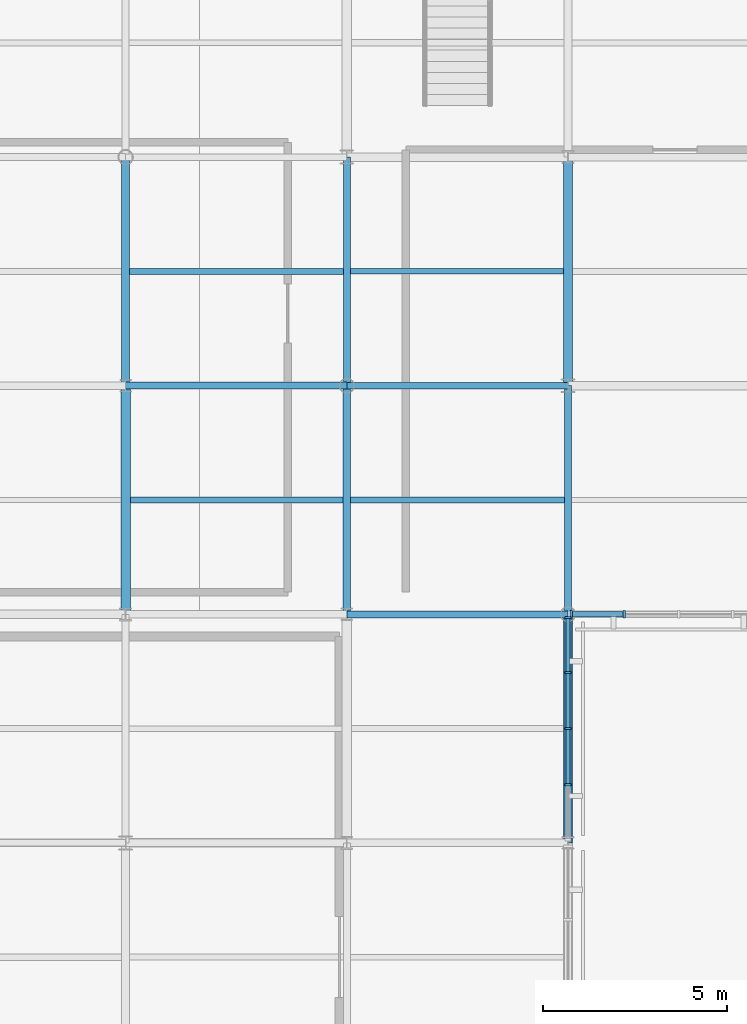
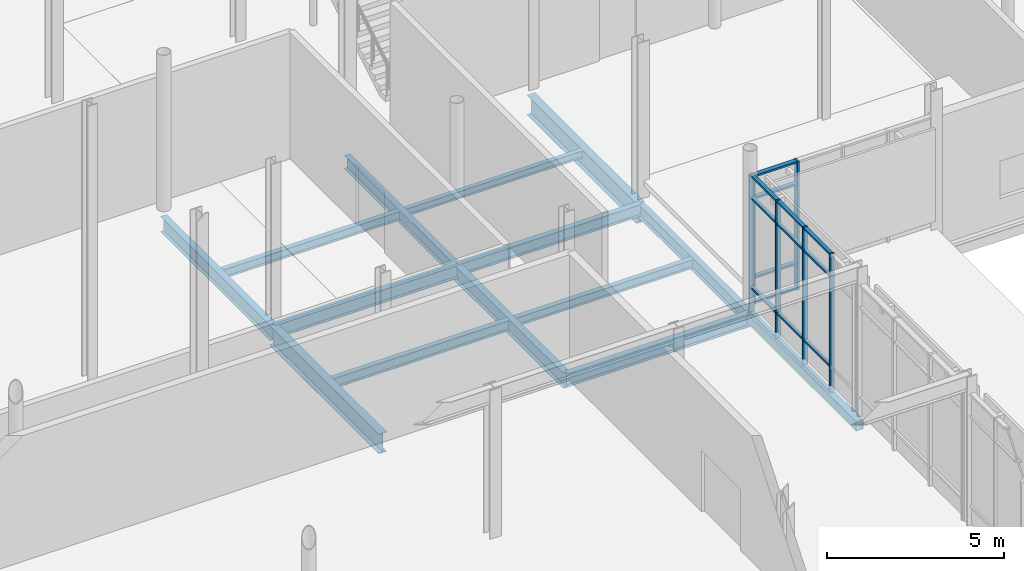
# One storey, part 24 of 105: 22 members, 14 beams, 2 elements without a shape of their own.
"""IFC4 building model written with IfcOpenShell, lengths in metres."""

from ifc_helpers import new_model, si_unit, direction, frame, origin, origin_2d, place, context, subcontext, project, spatial, rectangle, hollow_rectangle, i_section, extrude, material, layer, layer_set, material_profile, profile_set, type_object, element, aggregate, save


model = new_model("IFC4")

# Units and contexts
model_context = context("Model", 3, precision=1e-05, world=origin(), true_north=direction((0.0, 1.0)))
body_context = subcontext(model_context, "Body", "Model", "MODEL_VIEW")
ifc_project = project(units=[si_unit("LENGTHUNIT", "METRE"), si_unit("AREAUNIT", "SQUARE_METRE"), si_unit("VOLUMEUNIT", "CUBIC_METRE"), si_unit("PLANEANGLEUNIT", "RADIAN"), si_unit("MASSUNIT", "GRAM", prefix="KILO")], contexts=[model_context])

# Site, building, storey
site_placement = place(None, origin())
site = spatial("IfcSite", under=ifc_project, at=site_placement, CompositionType="ELEMENT")
building_placement = place(site_placement, origin())
building = spatial("IfcBuilding", under=site, at=building_placement, Name="Mirzam Square Science Centre", CompositionType="ELEMENT")
storey_placement = place(building_placement, frame((0.0, 0.0, 5.39990234375)))
storey = spatial("IfcBuildingStorey", under=building, at=storey_placement, Name="L01", CompositionType="ELEMENT", Elevation=5.39990234375)

# Beams
ifc_material_1 = material(Name="Steel S355", Category="steel")
ifc_material_profile_1 = material_profile(ifc_material_1, i_section(OverallWidth=0.1787109375, OverallDepth=0.409423828125, WebThickness=0.0087890625, FlangeThickness=0.014404296875, FilletRadius=0.01025390625, at=origin_2d()), Name="406x178x67UB")
ifc_profile_set_1 = profile_set([ifc_material_profile_1], Name="Steel S355")
beam_type_1 = type_object("IfcBeamType", Name="BM-UB406", PredefinedType="BEAM", material=ifc_profile_set_1)
beam_1_placement = place(storey_placement, frame((24.0, 43.39990234375, -0.464599609375), z_axis=(1.0, 0.0, 0.0), x_axis=(0.0, 1.0, 0.0)))
element("IfcBeam", 1, at=beam_1_placement, inside=storey, type_object=beam_type_1, Name="L01 girder X5-8", PredefinedType="BEAM", context=body_context, shape_type="SweptSolid", body=[
    extrude(i_section(OverallWidth=0.1787109375, OverallDepth=0.409423828125, WebThickness=0.0087890625, FlangeThickness=0.014404296875, FilletRadius=0.01025390625, at=origin_2d()), origin(), (0.0, 0.0, 1.0), 6.0),
])
ifc_material_profile_2 = material_profile(ifc_material_1, i_section(OverallWidth=0.19140625, OverallDepth=0.4599609375, WebThickness=0.010009765625, FlangeThickness=0.01611328125, FilletRadius=0.01025390625, at=origin_2d()), Name="457x191x82UB")
ifc_profile_set_2 = profile_set([ifc_material_profile_2], Name="Steel S355")
beam_type_2 = type_object("IfcBeamType", Name="BM-UB457", PredefinedType="BEAM", material=ifc_profile_set_2)
for number, where, z_axis, x_axis, name in (
    (2, (24.0, 37.199951171875, -0.489990234375), (1.0, 0.0, 0.0), (0.0, 1.0, 0.0), "L01 girder X5-7"),
    (3, (18.0, 43.39990234375, -0.489990234375), (1.0, 0.0, 0.0), (0.0, 1.0, 0.0), "L01 girder X4-8"),
):
    element("IfcBeam", number, at=place(storey_placement, frame(where, z_axis=z_axis, x_axis=x_axis)), inside=storey, type_object=beam_type_2, Name=name, PredefinedType="BEAM", context=body_context, shape_type="SweptSolid", body=[
        extrude(i_section(OverallWidth=0.19140625, OverallDepth=0.4599609375, WebThickness=0.010009765625, FlangeThickness=0.01611328125, FilletRadius=0.01025390625, at=origin_2d()), origin(), (0.0, 0.0, 1.0), 6.0),
    ])
beam_2_placement = place(storey_placement, frame((24.0, 43.39990234375, -0.489990234375), z_axis=(0.0, 1.0, 0.0), x_axis=(-1.0, 0.0, 0.0)))
element("IfcBeam", 4, at=beam_2_placement, inside=storey, type_object=beam_type_2, Name="L01 girder Y5-8", PredefinedType="BEAM", context=body_context, shape_type="SweptSolid", body=[
    extrude(i_section(OverallWidth=0.19140625, OverallDepth=0.4599609375, WebThickness=0.010009765625, FlangeThickness=0.01611328125, FilletRadius=0.01025390625, at=origin_2d()), origin(), (0.0, 0.0, 1.0), 6.2001953125),
])
beam_3_placement = place(storey_placement, frame((30.0, 37.199951171875, -0.489990234375), z_axis=(0.0, 1.0, 0.0), x_axis=(-1.0, 0.0, 0.0)))
element("IfcBeam", 5, at=beam_3_placement, inside=storey, type_object=beam_type_2, Name="L01 girder Y6-7", PredefinedType="BEAM", context=body_context, shape_type="SweptSolid", body=[
    extrude(i_section(OverallWidth=0.19140625, OverallDepth=0.4599609375, WebThickness=0.010009765625, FlangeThickness=0.01611328125, FilletRadius=0.01025390625, at=origin_2d()), origin(), (0.0, 0.0, 1.0), 6.199951171875),
])
ifc_material_profile_3 = material_profile(ifc_material_1, i_section(OverallWidth=0.2099609375, OverallDepth=0.53662109375, WebThickness=0.0107421875, FlangeThickness=0.017333984375, FilletRadius=0.0126953125, at=origin_2d()), Name="533x210x101UB")
ifc_profile_set_3 = profile_set([ifc_material_profile_3], Name="Steel S355")
beam_type_3 = type_object("IfcBeamType", Name="BM-UB533", PredefinedType="BEAM", material=ifc_profile_set_3)
beam_4_placement = place(storey_placement, frame((18.0, 43.39990234375, -0.5283203125), z_axis=(0.0, 1.0, 0.0), x_axis=(-1.0, 0.0, 0.0)))
element("IfcBeam", 6, at=beam_4_placement, inside=storey, type_object=beam_type_3, Name="L01 girder Y4-8", PredefinedType="BEAM", context=body_context, shape_type="SweptSolid", body=[
    extrude(i_section(OverallWidth=0.2099609375, OverallDepth=0.53662109375, WebThickness=0.0107421875, FlangeThickness=0.017333984375, FilletRadius=0.0126953125, at=origin_2d()), origin(), (0.0, 0.0, 1.0), 6.2001953125),
])
beam_5_placement = place(storey_placement, frame((24.0, 37.199951171875, -0.5283203125), z_axis=(0.0, 1.0, 0.0), x_axis=(-1.0, 0.0, 0.0)))
element("IfcBeam", 7, at=beam_5_placement, inside=storey, type_object=beam_type_3, Name="L01 girder Y5-7", PredefinedType="BEAM", context=body_context, shape_type="SweptSolid", body=[
    extrude(i_section(OverallWidth=0.2099609375, OverallDepth=0.53662109375, WebThickness=0.0107421875, FlangeThickness=0.017333984375, FilletRadius=0.0126953125, at=origin_2d()), origin(), (0.0, 0.0, 1.0), 6.199951171875),
])
ifc_material_profile_4 = material_profile(ifc_material_1, i_section(OverallWidth=0.25439453125, OverallDepth=0.6875, WebThickness=0.01318359375, FlangeThickness=0.02099609375, FilletRadius=0.01513671875, at=origin_2d()), Name="686x254x152UB")
ifc_profile_set_4 = profile_set([ifc_material_profile_4], Name="Steel S355")
beam_type_4 = type_object("IfcBeamType", Name="BM-UB686", PredefinedType="BEAM", material=ifc_profile_set_4)
beam_6_placement = place(storey_placement, frame((18.0, 37.199951171875, -0.603759765625), z_axis=(0.0, 1.0, 0.0), x_axis=(-1.0, 0.0, 0.0)))
element("IfcBeam", 8, at=beam_6_placement, inside=storey, type_object=beam_type_4, Name="L01 girder Y4-7", PredefinedType="BEAM", context=body_context, shape_type="SweptSolid", body=[
    extrude(i_section(OverallWidth=0.25439453125, OverallDepth=0.6875, WebThickness=0.01318359375, FlangeThickness=0.02099609375, FilletRadius=0.01513671875, at=origin_2d()), origin(), (0.0, 0.0, 1.0), 6.199951171875),
])
beam_7_placement = place(storey_placement, frame((30.0, 43.39990234375, -0.603759765625), z_axis=(0.0, 1.0, 0.0), x_axis=(-1.0, 0.0, 0.0)))
element("IfcBeam", 9, at=beam_7_placement, inside=storey, type_object=beam_type_4, Name="L01 girder Y6-8", PredefinedType="BEAM", context=body_context, shape_type="SweptSolid", body=[
    extrude(i_section(OverallWidth=0.25439453125, OverallDepth=0.6875, WebThickness=0.01318359375, FlangeThickness=0.02099609375, FilletRadius=0.01513671875, at=origin_2d()), origin(), (0.0, 0.0, 1.0), 6.2001953125),
])

# Curtain wall, members
ifc_material_2 = material(Name="Anodised Aluminium and Low-E Solar Glass", Category="aluminium")
ifc_layer_1 = layer(ifc_material_2, 0.219970703125)
ifc_layer_set_1 = layer_set([ifc_layer_1], Name="CW-OBS-A")
curtain_wall_type_1 = type_object("IfcCurtainWallType", Name="CW-OBS-A", PredefinedType="USERDEFINED", material=ifc_layer_set_1)
curtain_wall_1_placement = place(storey_placement, origin())
curtain_wall_1 = element("IfcCurtainWall", 10, at=curtain_wall_1_placement, inside=storey, type_object=curtain_wall_type_1, Name="L01 unitised curtain wall 45", ObjectType="UNITISED CURTAIN WALL", PredefinedType="USERDEFINED")
ifc_material_3 = material(Name="Anodised Architectural Aluminium 6063-T6", Category="aluminium")
ifc_material_profile_5 = material_profile(ifc_material_3, rectangle(XDim=0.06005859375, YDim=0.159912109375, at=origin_2d()), Name="ALU-MULL-160x60x4")
ifc_profile_set_5 = profile_set([ifc_material_profile_5], Name="Anodised Architectural Aluminium 6063-T6")
member_type_1 = type_object("IfcMemberType", Name="CWM-160", PredefinedType="MULLION", material=ifc_profile_set_5)
member_1_placement = place(storey_placement, frame((30.0, 32.577392578125, -0.25), z_axis=(0.0, 0.0, 1.0), x_axis=(0.0, 1.0, 0.0)))
member_1 = element("IfcMember", 11, at=member_1_placement, type_object=member_type_1, Name="CW-07 mullion 2", PredefinedType="MULLION", context=body_context, shape_type="SweptSolid", body=[
    extrude(rectangle(XDim=0.06005859375, YDim=0.159912109375, at=origin_2d()), origin(), (0.0, 0.0, 1.0), 4.800048828125),
])
member_2_placement = place(storey_placement, frame((30.0, 34.10009765625, -0.25), z_axis=(0.0, 0.0, 1.0), x_axis=(0.0, 1.0, 0.0)))
member_2 = element("IfcMember", 12, at=member_2_placement, type_object=member_type_1, Name="CW-07 mullion 3", PredefinedType="MULLION", context=body_context, shape_type="SweptSolid", body=[
    extrude(rectangle(XDim=0.06005859375, YDim=0.159912109375, at=origin_2d()), origin(), (0.0, 0.0, 1.0), 4.800048828125),
])
member_3_placement = place(storey_placement, frame((30.0, 35.62255859375, -0.25), z_axis=(0.0, 0.0, 1.0), x_axis=(0.0, 1.0, 0.0)))
member_3 = element("IfcMember", 13, at=member_3_placement, type_object=member_type_1, Name="CW-07 mullion 4", PredefinedType="MULLION", context=body_context, shape_type="SweptSolid", body=[
    extrude(rectangle(XDim=0.06005859375, YDim=0.159912109375, at=origin_2d()), origin(), (0.0, 0.0, 1.0), 4.800048828125),
])
member_4_placement = place(storey_placement, frame((30.0, 37.114990234375, -0.25), z_axis=(0.0, 0.0, 1.0), x_axis=(0.0, 1.0, 0.0)))
member_4 = element("IfcMember", 14, at=member_4_placement, type_object=member_type_1, Name="CW-07 mullion 5", PredefinedType="MULLION", context=body_context, shape_type="SweptSolid", body=[
    extrude(rectangle(XDim=0.06005859375, YDim=0.159912109375, at=origin_2d()), origin(), (0.0, 0.0, 1.0), 4.800048828125),
])

ifc_layer_2 = layer(ifc_material_2, 0.179931640625)
ifc_layer_set_2 = layer_set([ifc_layer_2], Name="CW-LINK-A")
curtain_wall_type_2 = type_object("IfcCurtainWallType", Name="CW-LINK-A", PredefinedType="USERDEFINED", material=ifc_layer_set_2)
curtain_wall_2_placement = place(storey_placement, origin())
curtain_wall_2 = element("IfcCurtainWall", 15, at=curtain_wall_2_placement, inside=storey, type_object=curtain_wall_type_2, Name="L01 unitised curtain wall 18", ObjectType="UNITISED CURTAIN WALL", PredefinedType="USERDEFINED")
ifc_material_profile_6 = material_profile(ifc_material_3, rectangle(XDim=0.06494140625, YDim=0.199951171875, at=origin_2d()), Name="ALU-MULL-200x65x5")
ifc_profile_set_6 = profile_set([ifc_material_profile_6], Name="Anodised Architectural Aluminium 6063-T6")
member_type_2 = type_object("IfcMemberType", Name="CWM-200", PredefinedType="MULLION", material=ifc_profile_set_6)
member_5_placement = place(storey_placement, frame((30.08740234375, 37.199951171875, 0.0), z_axis=(0.0, 0.0, 1.0), x_axis=(1.0, 0.0, 0.0)))
member_5 = element("IfcMember", 16, at=member_5_placement, type_object=member_type_2, Name="CW-08 mullion 1", PredefinedType="MULLION", context=body_context, shape_type="SweptSolid", body=[
    extrude(rectangle(XDim=0.06494140625, YDim=0.199951171875, at=origin_2d()), origin(), (0.0, 0.0, 1.0), 4.440185546875),
])
member_6_placement = place(storey_placement, frame((31.527587890625, 37.199951171875, 0.0), z_axis=(0.0, 0.0, 1.0), x_axis=(1.0, 0.0, 0.0)))
member_6 = element("IfcMember", 17, at=member_6_placement, type_object=member_type_2, Name="CW-08 mullion 2", PredefinedType="MULLION", context=body_context, shape_type="SweptSolid", body=[
    extrude(rectangle(XDim=0.06494140625, YDim=0.199951171875, at=origin_2d()), origin(), (0.0, 0.0, 1.0), 4.440185546875),
])

# Member
ifc_material_profile_7 = material_profile(ifc_material_3, rectangle(XDim=0.1201171875, YDim=0.06005859375, at=origin_2d()), Name="ALU-TRAN-120x60x4")
ifc_profile_set_7 = profile_set([ifc_material_profile_7], Name="Anodised Architectural Aluminium 6063-T6")
member_type_3 = type_object("IfcMemberType", Name="CWT-120", PredefinedType="USERDEFINED", material=ifc_profile_set_7)
member_7_placement = place(storey_placement, frame((30.0, 32.607421875, -0.219970703125), z_axis=(0.0, 1.0, 0.0), x_axis=(-1.0, 0.0, 0.0)))
member_7 = element("IfcMember", 18, at=member_7_placement, type_object=member_type_3, Name="CW-07 transom 2.1", ObjectType="TRANSOM", PredefinedType="USERDEFINED", context=body_context, shape_type="SweptSolid", body=[
    extrude(rectangle(XDim=0.1201171875, YDim=0.06005859375, at=origin_2d()), origin(), (0.0, 0.0, 1.0), 1.462646484375),
])

member_8_placement = place(storey_placement, frame((30.0, 32.607421875, 0.650146484375), z_axis=(0.0, 1.0, 0.0), x_axis=(-1.0, 0.0, 0.0)))
member_8 = element("IfcMember", 19, at=member_8_placement, type_object=member_type_3, Name="CW-07 transom 2.2", ObjectType="TRANSOM", PredefinedType="USERDEFINED", context=body_context, shape_type="SweptSolid", body=[
    extrude(rectangle(XDim=0.1201171875, YDim=0.06005859375, at=origin_2d()), origin(), (0.0, 0.0, 1.0), 1.462646484375),
])

member_9_placement = place(storey_placement, frame((30.0, 32.607421875, 3.75), z_axis=(0.0, 1.0, 0.0), x_axis=(-1.0, 0.0, 0.0)))
member_9 = element("IfcMember", 20, at=member_9_placement, type_object=member_type_3, Name="CW-07 transom 2.3", ObjectType="TRANSOM", PredefinedType="USERDEFINED", context=body_context, shape_type="SweptSolid", body=[
    extrude(rectangle(XDim=0.1201171875, YDim=0.06005859375, at=origin_2d()), origin(), (0.0, 0.0, 1.0), 1.462646484375),
])

member_10_placement = place(storey_placement, frame((30.0, 32.607421875, 4.52001953125), z_axis=(0.0, 1.0, 0.0), x_axis=(-1.0, 0.0, 0.0)))
member_10 = element("IfcMember", 21, at=member_10_placement, type_object=member_type_3, Name="CW-07 transom 2.4", ObjectType="TRANSOM", PredefinedType="USERDEFINED", context=body_context, shape_type="SweptSolid", body=[
    extrude(rectangle(XDim=0.1201171875, YDim=0.06005859375, at=origin_2d()), origin(), (0.0, 0.0, 1.0), 1.462646484375),
])

member_11_placement = place(storey_placement, frame((30.0, 34.1298828125, -0.219970703125), z_axis=(0.0, 1.0, 0.0), x_axis=(-1.0, 0.0, 0.0)))
member_11 = element("IfcMember", 22, at=member_11_placement, type_object=member_type_3, Name="CW-07 transom 3.1", ObjectType="TRANSOM", PredefinedType="USERDEFINED", context=body_context, shape_type="SweptSolid", body=[
    extrude(rectangle(XDim=0.1201171875, YDim=0.06005859375, at=origin_2d()), origin(), (0.0, 0.0, 1.0), 1.462646484375),
])

member_12_placement = place(storey_placement, frame((30.0, 34.1298828125, 0.650146484375), z_axis=(0.0, 1.0, 0.0), x_axis=(-1.0, 0.0, 0.0)))
member_12 = element("IfcMember", 23, at=member_12_placement, type_object=member_type_3, Name="CW-07 transom 3.2", ObjectType="TRANSOM", PredefinedType="USERDEFINED", context=body_context, shape_type="SweptSolid", body=[
    extrude(rectangle(XDim=0.1201171875, YDim=0.06005859375, at=origin_2d()), origin(), (0.0, 0.0, 1.0), 1.462646484375),
])

member_13_placement = place(storey_placement, frame((30.0, 34.1298828125, 3.75), z_axis=(0.0, 1.0, 0.0), x_axis=(-1.0, 0.0, 0.0)))
member_13 = element("IfcMember", 24, at=member_13_placement, type_object=member_type_3, Name="CW-07 transom 3.3", ObjectType="TRANSOM", PredefinedType="USERDEFINED", context=body_context, shape_type="SweptSolid", body=[
    extrude(rectangle(XDim=0.1201171875, YDim=0.06005859375, at=origin_2d()), origin(), (0.0, 0.0, 1.0), 1.462646484375),
])

member_14_placement = place(storey_placement, frame((30.0, 34.1298828125, 4.52001953125), z_axis=(0.0, 1.0, 0.0), x_axis=(-1.0, 0.0, 0.0)))
member_14 = element("IfcMember", 25, at=member_14_placement, type_object=member_type_3, Name="CW-07 transom 3.4", ObjectType="TRANSOM", PredefinedType="USERDEFINED", context=body_context, shape_type="SweptSolid", body=[
    extrude(rectangle(XDim=0.1201171875, YDim=0.06005859375, at=origin_2d()), origin(), (0.0, 0.0, 1.0), 1.462646484375),
])

member_15_placement = place(storey_placement, frame((30.0, 35.652587890625, -0.219970703125), z_axis=(0.0, 1.0, 0.0), x_axis=(-1.0, 0.0, 0.0)))
member_15 = element("IfcMember", 26, at=member_15_placement, type_object=member_type_3, Name="CW-07 transom 4.1", ObjectType="TRANSOM", PredefinedType="USERDEFINED", context=body_context, shape_type="SweptSolid", body=[
    extrude(rectangle(XDim=0.1201171875, YDim=0.06005859375, at=origin_2d()), origin(), (0.0, 0.0, 1.0), 1.432373046875),
])

member_16_placement = place(storey_placement, frame((30.0, 35.652587890625, 0.650146484375), z_axis=(0.0, 1.0, 0.0), x_axis=(-1.0, 0.0, 0.0)))
member_16 = element("IfcMember", 27, at=member_16_placement, type_object=member_type_3, Name="CW-07 transom 4.2", ObjectType="TRANSOM", PredefinedType="USERDEFINED", context=body_context, shape_type="SweptSolid", body=[
    extrude(rectangle(XDim=0.1201171875, YDim=0.06005859375, at=origin_2d()), origin(), (0.0, 0.0, 1.0), 1.432373046875),
])

member_17_placement = place(storey_placement, frame((30.0, 35.652587890625, 3.75), z_axis=(0.0, 1.0, 0.0), x_axis=(-1.0, 0.0, 0.0)))
member_17 = element("IfcMember", 28, at=member_17_placement, type_object=member_type_3, Name="CW-07 transom 4.3", ObjectType="TRANSOM", PredefinedType="USERDEFINED", context=body_context, shape_type="SweptSolid", body=[
    extrude(rectangle(XDim=0.1201171875, YDim=0.06005859375, at=origin_2d()), origin(), (0.0, 0.0, 1.0), 1.432373046875),
])

member_18_placement = place(storey_placement, frame((30.0, 35.652587890625, 4.52001953125), z_axis=(0.0, 1.0, 0.0), x_axis=(-1.0, 0.0, 0.0)))
member_18 = element("IfcMember", 29, at=member_18_placement, type_object=member_type_3, Name="CW-07 transom 4.4", ObjectType="TRANSOM", PredefinedType="USERDEFINED", context=body_context, shape_type="SweptSolid", body=[
    extrude(rectangle(XDim=0.1201171875, YDim=0.06005859375, at=origin_2d()), origin(), (0.0, 0.0, 1.0), 1.432373046875),
])

aggregate(curtain_wall_1, [member_1, member_2, member_3, member_4, member_7, member_8, member_9, member_10, member_11, member_12, member_13, member_14, member_15, member_16, member_17, member_18])

ifc_material_profile_8 = material_profile(ifc_material_3, rectangle(XDim=0.14990234375, YDim=0.06494140625, at=origin_2d()), Name="ALU-TRAN-150x65x4")
ifc_profile_set_8 = profile_set([ifc_material_profile_8], Name="Anodised Architectural Aluminium 6063-T6")
member_type_4 = type_object("IfcMemberType", Name="CWT-150", PredefinedType="USERDEFINED", material=ifc_profile_set_8)
member_19_placement = place(storey_placement, frame((30.1201171875, 37.199951171875, 0.03271484375), z_axis=(1.0, 0.0, 0.0), x_axis=(0.0, 1.0, 0.0)))
member_19 = element("IfcMember", 30, at=member_19_placement, type_object=member_type_4, Name="CW-08 transom 1.1", ObjectType="TRANSOM", PredefinedType="USERDEFINED", context=body_context, shape_type="SweptSolid", body=[
    extrude(rectangle(XDim=0.14990234375, YDim=0.06494140625, at=origin_2d()), origin(), (0.0, 0.0, 1.0), 1.375),
])

member_20_placement = place(storey_placement, frame((30.1201171875, 37.199951171875, 0.900146484375), z_axis=(1.0, 0.0, 0.0), x_axis=(0.0, 1.0, 0.0)))
member_20 = element("IfcMember", 31, at=member_20_placement, type_object=member_type_4, Name="CW-08 transom 1.2", ObjectType="TRANSOM", PredefinedType="USERDEFINED", context=body_context, shape_type="SweptSolid", body=[
    extrude(rectangle(XDim=0.14990234375, YDim=0.06494140625, at=origin_2d()), origin(), (0.0, 0.0, 1.0), 1.375),
])

member_21_placement = place(storey_placement, frame((30.1201171875, 37.199951171875, 3.64013671875), z_axis=(1.0, 0.0, 0.0), x_axis=(0.0, 1.0, 0.0)))
member_21 = element("IfcMember", 32, at=member_21_placement, type_object=member_type_4, Name="CW-08 transom 1.3", ObjectType="TRANSOM", PredefinedType="USERDEFINED", context=body_context, shape_type="SweptSolid", body=[
    extrude(rectangle(XDim=0.14990234375, YDim=0.06494140625, at=origin_2d()), origin(), (0.0, 0.0, 1.0), 1.375),
])

member_22_placement = place(storey_placement, frame((30.1201171875, 37.199951171875, 4.40771484375), z_axis=(1.0, 0.0, 0.0), x_axis=(0.0, 1.0, 0.0)))
member_22 = element("IfcMember", 33, at=member_22_placement, type_object=member_type_4, Name="CW-08 transom 1.4", ObjectType="TRANSOM", PredefinedType="USERDEFINED", context=body_context, shape_type="SweptSolid", body=[
    extrude(rectangle(XDim=0.14990234375, YDim=0.06494140625, at=origin_2d()), origin(), (0.0, 0.0, 1.0), 1.375),
])

aggregate(curtain_wall_2, [member_5, member_6, member_19, member_20, member_21, member_22])

# Beams
ifc_material_profile_9 = material_profile(ifc_material_1, i_section(OverallWidth=0.146484375, OverallDepth=0.256103515625, WebThickness=0.00634765625, FlangeThickness=0.010986328125, FilletRadius=0.007568359375, at=origin_2d()), Name="254x146x37UB")
ifc_profile_set_9 = profile_set([ifc_material_profile_9], Name="Steel S355")
beam_type_5 = type_object("IfcBeamType", Name="JS-UB254", PredefinedType="JOIST", material=ifc_profile_set_9)
beam_8_placement = place(storey_placement, frame((24.095703125, 46.5, -0.387939453125), z_axis=(1.0, 0.0, 0.0), x_axis=(0.0, 1.0, 0.0)))
element("IfcBeam", 34, at=beam_8_placement, inside=storey, type_object=beam_type_5, Name="L01 composite joist 5-8", PredefinedType="JOIST", context=body_context, shape_type="SweptSolid", body=[
    extrude(i_section(OverallWidth=0.146484375, OverallDepth=0.256103515625, WebThickness=0.00634765625, FlangeThickness=0.010986328125, FilletRadius=0.007568359375, at=origin_2d()), origin(), (0.0, 0.0, 1.0), 5.777099609375),
])
ifc_material_profile_10 = material_profile(ifc_material_1, i_section(OverallWidth=0.165771484375, OverallDepth=0.306640625, WebThickness=0.006591796875, FlangeThickness=0.01171875, FilletRadius=0.0087890625, at=origin_2d()), Name="305x165x46UB")
ifc_profile_set_10 = profile_set([ifc_material_profile_10], Name="Steel S355")
beam_type_6 = type_object("IfcBeamType", Name="JS-UB305", PredefinedType="JOIST", material=ifc_profile_set_10)
for number, where, z_axis, x_axis, name in (
    (35, (18.10498046875, 46.5, -0.4130859375), (1.0, 0.0, 0.0), (0.0, 1.0, 0.0), "L01 composite joist 4-8"),
    (36, (24.10498046875, 40.300048828125, -0.4130859375), (1.0, 0.0, 0.0), (0.0, 1.0, 0.0), "L01 composite joist 5-7"),
):
    element("IfcBeam", number, at=place(storey_placement, frame(where, z_axis=z_axis, x_axis=x_axis)), inside=storey, type_object=beam_type_6, Name=name, PredefinedType="JOIST", context=body_context, shape_type="SweptSolid", body=[
        extrude(i_section(OverallWidth=0.165771484375, OverallDepth=0.306640625, WebThickness=0.006591796875, FlangeThickness=0.01171875, FilletRadius=0.0087890625, at=origin_2d()), origin(), (0.0, 0.0, 1.0), 5.79931640625),
    ])
ifc_material_profile_11 = material_profile(ifc_material_1, i_section(OverallWidth=0.172119140625, OverallDepth=0.35791015625, WebThickness=0.008056640625, FlangeThickness=0.012939453125, FilletRadius=0.01025390625, at=origin_2d()), Name="356x171x57UB")
ifc_profile_set_11 = profile_set([ifc_material_profile_11], Name="Steel S355")
beam_type_7 = type_object("IfcBeamType", Name="JS-UB356", PredefinedType="JOIST", material=ifc_profile_set_11)
beam_9_placement = place(storey_placement, frame((18.127197265625, 40.300048828125, -0.43896484375), z_axis=(1.0, 0.0, 0.0), x_axis=(0.0, 1.0, 0.0)))
element("IfcBeam", 37, at=beam_9_placement, inside=storey, type_object=beam_type_7, Name="L01 composite joist 4-7", PredefinedType="JOIST", context=body_context, shape_type="SweptSolid", body=[
    extrude(i_section(OverallWidth=0.172119140625, OverallDepth=0.35791015625, WebThickness=0.008056640625, FlangeThickness=0.012939453125, FilletRadius=0.01025390625, at=origin_2d()), origin(), (0.0, 0.0, 1.0), 5.767822265625),
])
ifc_material_profile_12 = material_profile(ifc_material_1, hollow_rectangle(XDim=0.25, YDim=0.35009765625, WallThickness=0.012451171875, InnerFilletRadius=0.012451171875, OuterFilletRadius=0.02490234375, at=origin_2d()), Name="350x250x12.5RHS")
ifc_profile_set_12 = profile_set([ifc_material_profile_12], Name="Steel S355")
beam_type_8 = type_object("IfcBeamType", Name="SP-RHS350", PredefinedType="SPANDREL", material=ifc_profile_set_12)
beam_10_placement = place(storey_placement, frame((30.0, 31.0, -0.434814453125), z_axis=(0.0, 1.0, 0.0), x_axis=(-1.0, 0.0, 0.0)))
element("IfcBeam", 38, at=beam_10_placement, inside=storey, type_object=beam_type_8, Name="L01 girder Y6-6", PredefinedType="SPANDREL", context=body_context, shape_type="SweptSolid", body=[
    extrude(hollow_rectangle(XDim=0.25, YDim=0.35009765625, WallThickness=0.012451171875, InnerFilletRadius=0.012451171875, OuterFilletRadius=0.02490234375, at=origin_2d()), origin(), (0.0, 0.0, 1.0), 6.199951171875),
])

save(model, "model.ifc")
